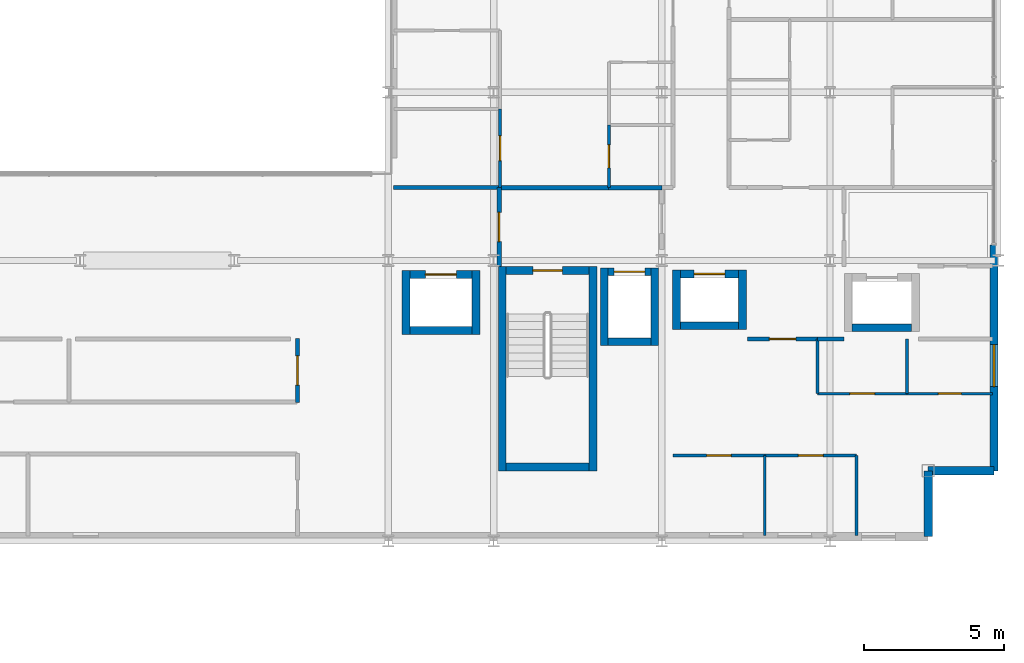
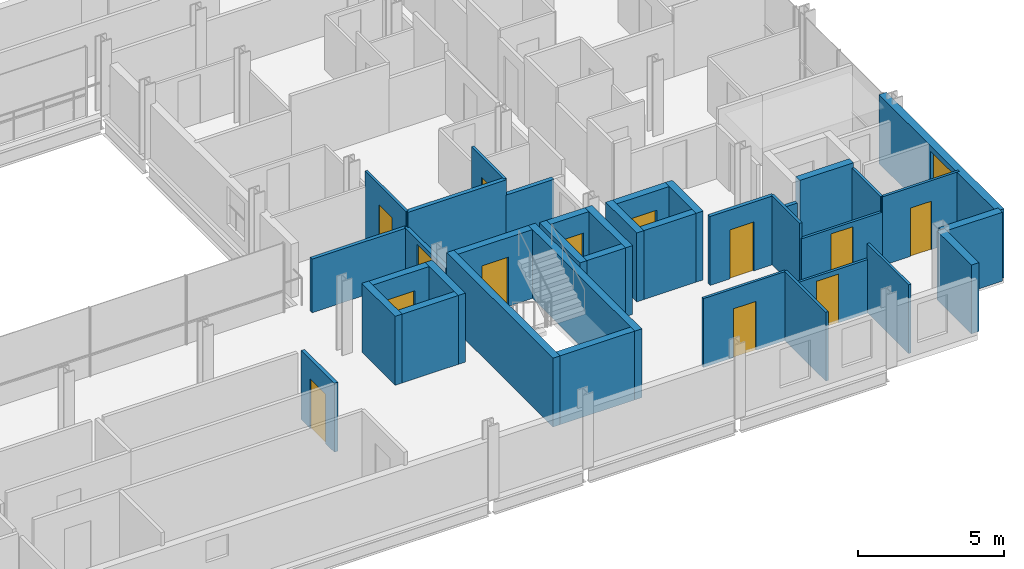
# One storey, part 34 of 40: 37 walls, 13 doors, 1 window, 14 openings.
"""IFC4 building model written with IfcOpenShell, lengths in metres."""

from ifc_helpers import new_model, si_unit, direction, frame, frame_2d, origin, place, context, subcontext, project, spatial, rectangle, extrude, material, layer, layer_set, type_object, element, fill, save


model = new_model("IFC4")

# Units and contexts
model_context = context("Model", 3, precision=1e-05, world=origin(), true_north=direction((0.0, 1.0)))
body_context = subcontext(model_context, "Body", "Model", "MODEL_VIEW")
ifc_project = project(units=[si_unit("LENGTHUNIT", "METRE"), si_unit("AREAUNIT", "SQUARE_METRE"), si_unit("VOLUMEUNIT", "CUBIC_METRE"), si_unit("PLANEANGLEUNIT", "RADIAN"), si_unit("MASSUNIT", "GRAM", prefix="KILO")], contexts=[model_context])

# Site, building, storey
site_placement = place(None, origin())
site = spatial("IfcSite", under=ifc_project, at=site_placement, CompositionType="ELEMENT")
building_placement = place(site_placement, origin())
building = spatial("IfcBuilding", under=site, at=building_placement, Name="Brevholm Reach", CompositionType="ELEMENT")
storey_placement = place(building_placement, frame((0.0, 0.0, 119.0)))
storey = spatial("IfcBuildingStorey", under=building, at=storey_placement, Name="L35", CompositionType="ELEMENT", Elevation=119.0)

# Walls
ifc_material_1 = material(Name="Concrete C50/60", Category="concrete")
ifc_layer_1 = layer(ifc_material_1, 0.280029296875)
ifc_layer_set_1 = layer_set([ifc_layer_1], Name="Concrete C50/60")
wall_type_1 = type_object("IfcWallType", Name="WAL-COR-280", PredefinedType="SHEAR", material=ifc_layer_set_1)
for number, where, z_axis, x_axis, name in (
    (1, (42.31005859375, 2.5, 0.0), (0.0, 0.0, 1.0), (0.0, 1.0, 0.0), "L35 Escape Stair ST-2 Core Wall W"),
    (2, (45.5400390625, 2.5, 0.0), (0.0, 0.0, 1.0), (0.0, 1.0, 0.0), "L35 Escape Stair ST-2 Core Wall E"),
):
    element("IfcWall", number, at=place(storey_placement, frame(where, z_axis=z_axis, x_axis=x_axis)), inside=storey, type_object=wall_type_1, Name=name, PredefinedType="SHEAR", context=body_context, shape_type="SweptSolid", body=[
        extrude(rectangle(XDim=7.280029296875, YDim=0.280029296875, at=frame_2d((3.64013671875, 0.0))), origin(), (0.0, 0.0, 1.0), 2.8798828125),
    ])
wall_1_placement = place(storey_placement, frame((42.449951171875, 2.639892578125, 0.0), z_axis=(0.0, 0.0, 1.0), x_axis=(1.0, 0.0, 0.0)))
element("IfcWall", 3, at=wall_1_placement, inside=storey, type_object=wall_type_1, Name="L35 Escape Stair ST-2 Core Wall S", PredefinedType="SHEAR", context=body_context, shape_type="SweptSolid", body=[
    extrude(rectangle(XDim=2.949951171875, YDim=0.280029296875, at=frame_2d((1.47509765625, 0.0))), origin(), (0.0, 0.0, 1.0), 2.8798828125),
])

# Wall, opening, door
wall_2_placement = place(storey_placement, frame((45.39990234375, 9.639892578125, 0.0), z_axis=(0.0, 0.0, 1.0), x_axis=(-1.0, 0.0, 0.0)))
wall_2 = element("IfcWall", 4, at=wall_2_placement, inside=storey, type_object=wall_type_1, Name="L35 Escape Stair ST-2 Core Wall N", PredefinedType="SHEAR", context=body_context, shape_type="SweptSolid", body=[
    extrude(rectangle(XDim=2.949951171875, YDim=0.280029296875, at=frame_2d((1.47509765625, 0.0))), origin(), (0.0, 0.0, 1.0), 2.8798828125),
])
opening_1_placement = place(wall_2_placement, frame((0.949951171875, 0.0, 0.0)))
opening_1 = element("IfcOpeningElement", 5, at=opening_1_placement, cuts=wall_2, Name="Opening SD-ST-2", PredefinedType="OPENING", context=body_context, shape_type="SweptSolid", body=[
    extrude(rectangle(XDim=1.050048828125, YDim=2.06005859375, at=frame_2d((0.52490234375, 1.030029296875))), frame((0.0, 0.14990234375, 0.0), z_axis=(0.0, -1.0, 0.0), x_axis=(1.0, 0.0, 0.0)), (0.0, 0.0, 1.0), 0.300048828125),
])
ifc_material_2 = material(Name="Hardwood-Lipped Steel-Core Fire and Smoke Door", Category="steel")
door_type_1 = type_object("IfcDoorType", Name="DOR-INT-FD60S", OperationType="NOTDEFINED", PredefinedType="DOOR", material=ifc_material_2)
door_1_placement = place(opening_1_placement, origin())
door_1 = element("IfcDoor", 6, at=door_1_placement, inside=storey, type_object=door_type_1, Name="L35 Protected Stair ST-2 Lobby Door", OperationType="SINGLE_SWING_RIGHT", OverallHeight=2.06005859375, OverallWidth=1.050048828125, PredefinedType="DOOR", context=body_context, shape_type="SweptSolid", body=[
    extrude(rectangle(XDim=1.050048828125, YDim=2.06005859375, at=frame_2d((0.52490234375, 1.030029296875))), frame((0.0, 0.02490234375, 0.0), z_axis=(0.0, -1.0, 0.0), x_axis=(1.0, 0.0, 0.0)), (0.0, 0.0, 1.0), 0.050048828125),
])
fill(opening_1, door_1)

# Walls
for number, where, z_axis, x_axis, name in (
    (7, (45.949951171875, 6.9599609375, 0.0), (0.0, 0.0, 1.0), (0.0, 1.0, 0.0), "L35 Lift FFL-2 Shaft Wall W"),
    (8, (47.75, 6.9599609375, 0.0), (0.0, 0.0, 1.0), (0.0, 1.0, 0.0), "L35 Lift FFL-2 Shaft Wall E"),
):
    element("IfcWall", number, at=place(storey_placement, frame(where, z_axis=z_axis, x_axis=x_axis)), inside=storey, type_object=wall_type_1, Name=name, PredefinedType="SHEAR", context=body_context, shape_type="SweptSolid", body=[
        extrude(rectangle(XDim=2.780029296875, YDim=0.280029296875, at=frame_2d((1.39013671875, 0.0))), origin(), (0.0, 0.0, 1.0), 2.8798828125),
    ])
wall_3_placement = place(storey_placement, frame((46.090087890625, 7.10009765625, 0.0), z_axis=(0.0, 0.0, 1.0), x_axis=(1.0, 0.0, 0.0)))
element("IfcWall", 9, at=wall_3_placement, inside=storey, type_object=wall_type_1, Name="L35 Lift FFL-2 Shaft Wall S", PredefinedType="SHEAR", context=body_context, shape_type="SweptSolid", body=[
    extrude(rectangle(XDim=1.52001953125, YDim=0.280029296875, at=frame_2d((0.760009765625, 0.0))), origin(), (0.0, 0.0, 1.0), 2.8798828125),
])

# Wall, opening, door
wall_4_placement = place(storey_placement, frame((46.090087890625, 9.60009765625, 0.0), z_axis=(0.0, 0.0, 1.0), x_axis=(1.0, 0.0, 0.0)))
wall_4 = element("IfcWall", 10, at=wall_4_placement, inside=storey, type_object=wall_type_1, Name="L35 Lift FFL-2 Shaft Wall N", PredefinedType="SHEAR", context=body_context, shape_type="SweptSolid", body=[
    extrude(rectangle(XDim=1.52001953125, YDim=0.280029296875, at=frame_2d((0.760009765625, 0.0))), origin(), (0.0, 0.0, 1.0), 2.8798828125),
])
opening_2_placement = place(wall_4_placement, frame((0.2099609375, 0.0, 0.0)))
opening_2 = element("IfcOpeningElement", 11, at=opening_2_placement, cuts=wall_4, Name="Opening LD-FFL-2", PredefinedType="OPENING", context=body_context, shape_type="SweptSolid", body=[
    extrude(rectangle(XDim=1.10009765625, YDim=2.06005859375, at=frame_2d((0.550048828125, 1.030029296875))), frame((0.0, 0.14990234375, 0.0), z_axis=(0.0, -1.0, 0.0), x_axis=(1.0, 0.0, 0.0)), (0.0, 0.0, 1.0), 0.300048828125),
])
ifc_material_3 = material(Name="Brushed Stainless Steel Fire-Rated Sliding Lift Door", Category="steel")
door_type_2 = type_object("IfcDoorType", Name="DOR-LFT-1100", OperationType="NOTDEFINED", PredefinedType="DOOR", material=ifc_material_3)
door_2_placement = place(opening_2_placement, origin())
door_2 = element("IfcDoor", 12, at=door_2_placement, inside=storey, type_object=door_type_2, Name="L35 Lift FFL-2 Sliding Landing Door", OperationType="SLIDING_TO_RIGHT", OverallHeight=2.06005859375, OverallWidth=1.10009765625, PredefinedType="DOOR", context=body_context, shape_type="SweptSolid", body=[
    extrude(rectangle(XDim=1.10009765625, YDim=2.06005859375, at=frame_2d((0.550048828125, 1.030029296875))), frame((0.0, 0.02490234375, 0.0), z_axis=(0.0, -1.0, 0.0), x_axis=(1.0, 0.0, 0.0)), (0.0, 0.0, 1.0), 0.050048828125),
])
fill(opening_2, door_2)

# Walls
for number, where, z_axis, x_axis, name in (
    (13, (48.52490234375, 7.534912109375, 0.0), (0.0, 0.0, 1.0), (0.0, 1.0, 0.0), "L35 Lift PL-L1 Shaft Wall W"),
    (14, (50.875, 7.534912109375, 0.0), (0.0, 0.0, 1.0), (0.0, 1.0, 0.0), "L35 Lift PL-L1 Shaft Wall E"),
):
    element("IfcWall", number, at=place(storey_placement, frame(where, z_axis=z_axis, x_axis=x_axis)), inside=storey, type_object=wall_type_1, Name=name, PredefinedType="SHEAR", context=body_context, shape_type="SweptSolid", body=[
        extrude(rectangle(XDim=2.130126953125, YDim=0.280029296875, at=frame_2d((1.06494140625, 0.0))), origin(), (0.0, 0.0, 1.0), 2.8798828125),
    ])
wall_5_placement = place(storey_placement, frame((48.6650390625, 7.675048828125, 0.0), z_axis=(0.0, 0.0, 1.0), x_axis=(1.0, 0.0, 0.0)))
element("IfcWall", 15, at=wall_5_placement, inside=storey, type_object=wall_type_1, Name="L35 Lift PL-L1 Shaft Wall S", PredefinedType="SHEAR", context=body_context, shape_type="SweptSolid", body=[
    extrude(rectangle(XDim=2.070068359375, YDim=0.280029296875, at=frame_2d((1.03515625, 0.0))), origin(), (0.0, 0.0, 1.0), 2.8798828125),
])

# Wall, opening, door
wall_6_placement = place(storey_placement, frame((48.6650390625, 9.52490234375, 0.0), z_axis=(0.0, 0.0, 1.0), x_axis=(1.0, 0.0, 0.0)))
wall_6 = element("IfcWall", 16, at=wall_6_placement, inside=storey, type_object=wall_type_1, Name="L35 Lift PL-L1 Shaft Wall N", PredefinedType="SHEAR", context=body_context, shape_type="SweptSolid", body=[
    extrude(rectangle(XDim=2.070068359375, YDim=0.280029296875, at=frame_2d((1.03515625, 0.0))), origin(), (0.0, 0.0, 1.0), 2.8798828125),
])
opening_3_placement = place(wall_6_placement, frame((0.485107421875, 0.0, 0.0)))
opening_3 = element("IfcOpeningElement", 17, at=opening_3_placement, cuts=wall_6, Name="Opening LD-PL-L1", PredefinedType="OPENING", context=body_context, shape_type="SweptSolid", body=[
    extrude(rectangle(XDim=1.10009765625, YDim=2.06005859375, at=frame_2d((0.550048828125, 1.030029296875))), frame((0.0, 0.14990234375, 0.0), z_axis=(0.0, -1.0, 0.0), x_axis=(1.0, 0.0, 0.0)), (0.0, 0.0, 1.0), 0.300048828125),
])
door_3_placement = place(opening_3_placement, origin())
door_3 = element("IfcDoor", 18, at=door_3_placement, inside=storey, type_object=door_type_2, Name="L35 Lift PL-L1 Sliding Landing Door", OperationType="SLIDING_TO_LEFT", OverallHeight=2.06005859375, OverallWidth=1.10009765625, PredefinedType="DOOR", context=body_context, shape_type="SweptSolid", body=[
    extrude(rectangle(XDim=1.10009765625, YDim=2.06005859375, at=frame_2d((0.550048828125, 1.030029296875))), frame((0.0, 0.02490234375, 0.0), z_axis=(0.0, -1.0, 0.0), x_axis=(1.0, 0.0, 0.0)), (0.0, 0.0, 1.0), 0.050048828125),
])
fill(opening_3, door_3)

# Walls
wall_7_placement = place(storey_placement, frame((54.7900390625, 7.60009765625, 0.0), z_axis=(0.0, 0.0, 1.0), x_axis=(1.0, 0.0, 0.0)))
element("IfcWall", 19, at=wall_7_placement, inside=storey, type_object=wall_type_1, Name="L35 Lift PL-L2 Shaft Wall S", PredefinedType="SHEAR", context=body_context, shape_type="SweptSolid", body=[
    extrude(rectangle(XDim=2.119873046875, YDim=0.280029296875, at=frame_2d((1.06005859375, 0.0))), origin(), (0.0, 0.0, 1.0), 2.8798828125),
])
for number, where, z_axis, x_axis, name in (
    (20, (38.8701171875, 7.360107421875, 0.0), (0.0, 0.0, 1.0), (0.0, 1.0, 0.0), "L35 Lift PL-S1 Shaft Wall W"),
    (21, (41.3701171875, 7.360107421875, 0.0), (0.0, 0.0, 1.0), (0.0, 1.0, 0.0), "L35 Lift PL-S1 Shaft Wall E"),
):
    element("IfcWall", number, at=place(storey_placement, frame(where, z_axis=z_axis, x_axis=x_axis)), inside=storey, type_object=wall_type_1, Name=name, PredefinedType="SHEAR", context=body_context, shape_type="SweptSolid", body=[
        extrude(rectangle(XDim=2.27978515625, YDim=0.280029296875, at=frame_2d((1.139892578125, 0.0))), origin(), (0.0, 0.0, 1.0), 2.8798828125),
    ])
wall_8_placement = place(storey_placement, frame((39.010009765625, 7.5, 0.0), z_axis=(0.0, 0.0, 1.0), x_axis=(1.0, 0.0, 0.0)))
element("IfcWall", 22, at=wall_8_placement, inside=storey, type_object=wall_type_1, Name="L35 Lift PL-S1 Shaft Wall S", PredefinedType="SHEAR", context=body_context, shape_type="SweptSolid", body=[
    extrude(rectangle(XDim=2.219970703125, YDim=0.280029296875, at=frame_2d((1.10986328125, 0.0))), origin(), (0.0, 0.0, 1.0), 2.8798828125),
])

# Wall, opening, door
wall_9_placement = place(storey_placement, frame((39.010009765625, 9.5, 0.0), z_axis=(0.0, 0.0, 1.0), x_axis=(1.0, 0.0, 0.0)))
wall_9 = element("IfcWall", 23, at=wall_9_placement, inside=storey, type_object=wall_type_1, Name="L35 Lift PL-S1 Shaft Wall N", PredefinedType="SHEAR", context=body_context, shape_type="SweptSolid", body=[
    extrude(rectangle(XDim=2.219970703125, YDim=0.280029296875, at=frame_2d((1.10986328125, 0.0))), origin(), (0.0, 0.0, 1.0), 2.8798828125),
])
opening_4_placement = place(wall_9_placement, frame((0.56005859375, 0.0, 0.0)))
opening_4 = element("IfcOpeningElement", 24, at=opening_4_placement, cuts=wall_9, Name="Opening LD-PL-S1", PredefinedType="OPENING", context=body_context, shape_type="SweptSolid", body=[
    extrude(rectangle(XDim=1.10009765625, YDim=2.06005859375, at=frame_2d((0.550048828125, 1.030029296875))), frame((0.0, 0.14990234375, 0.0), z_axis=(0.0, -1.0, 0.0), x_axis=(1.0, 0.0, 0.0)), (0.0, 0.0, 1.0), 0.300048828125),
])
door_4_placement = place(opening_4_placement, origin())
door_4 = element("IfcDoor", 25, at=door_4_placement, inside=storey, type_object=door_type_2, Name="L35 Lift PL-S1 Sliding Landing Door", OperationType="SLIDING_TO_LEFT", OverallHeight=2.06005859375, OverallWidth=1.10009765625, PredefinedType="DOOR", context=body_context, shape_type="SweptSolid", body=[
    extrude(rectangle(XDim=1.10009765625, YDim=2.06005859375, at=frame_2d((0.550048828125, 1.030029296875))), frame((0.0, 0.02490234375, 0.0), z_axis=(0.0, -1.0, 0.0), x_axis=(1.0, 0.0, 0.0)), (0.0, 0.0, 1.0), 0.050048828125),
])
fill(opening_4, door_4)

# Walls
ifc_material_4 = material(Name="Concrete C40/50", Category="concrete")
ifc_layer_2 = layer(ifc_material_4, 0.300048828125)
ifc_layer_set_2 = layer_set([ifc_layer_2], Name="Concrete C40/50")
wall_type_2 = type_object("IfcWallType", Name="WAL-EXT-300", PredefinedType="STANDARD", material=ifc_layer_set_2)
for number, where, z_axis, x_axis, name in (
    (26, (57.5, 0.14990234375, 0.0), (0.0, 0.0, 1.0), (0.0, 1.0, 0.0), "L35 Facade Wall WAL-L35-CSE1"),
    (27, (57.5, 2.5, 0.0), (0.0, 0.0, 1.0), (1.0, 0.0, 0.0), "L35 Facade Wall WAL-L35-CSE2"),
):
    element("IfcWall", number, at=place(storey_placement, frame(where, z_axis=z_axis, x_axis=x_axis)), inside=storey, type_object=wall_type_2, Name=name, PredefinedType="STANDARD", context=body_context, shape_type="SweptSolid", body=[
        extrude(rectangle(XDim=2.35009765625, YDim=0.300048828125, at=frame_2d((1.175048828125, 0.0))), origin(), (0.0, 0.0, 1.0), 2.8798828125),
    ])

# Wall, opening, window
wall_10_placement = place(storey_placement, frame((59.85009765625, 2.5, 0.0), z_axis=(0.0, 0.0, 1.0), x_axis=(0.0, 1.0, 0.0)))
wall_10 = element("IfcWall", 28, at=wall_10_placement, inside=storey, type_object=wall_type_2, Name="L35 Facade Wall WAL-L35-E-S", PredefinedType="STANDARD", context=body_context, shape_type="SweptSolid", body=[
    extrude(rectangle(XDim=8.050048828125, YDim=0.300048828125, at=frame_2d((4.02490234375, 0.0))), origin(), (0.0, 0.0, 1.0), 2.8798828125),
])
opening_5_placement = place(wall_10_placement, frame((3.0, 0.0, 0.860107421875)))
opening_5 = element("IfcOpeningElement", 29, at=opening_5_placement, cuts=wall_10, Name="Opening WN-05", PredefinedType="OPENING", context=body_context, shape_type="SweptSolid", body=[
    extrude(rectangle(XDim=1.5, YDim=1.800048828125, at=frame_2d((0.75, 0.89990234375))), frame((0.0, 0.159912109375, 0.0), z_axis=(0.0, -1.0, 0.0), x_axis=(1.0, 0.0, 0.0)), (0.0, 0.0, 1.0), 0.320068359375),
])
ifc_material_5 = material(Name="Dark Anodised Aluminium and Solar-Control IGU Glass", Category="aluminium")
window_type = type_object("IfcWindowType", Name="WIN-RES-1500", PartitioningType="SINGLE_PANEL", PredefinedType="WINDOW", material=ifc_material_5)
window_placement = place(opening_5_placement, origin())
window = element("IfcWindow", 30, at=window_placement, inside=storey, type_object=window_type, Name="L35 Window WIN-L35-ES-1", OverallHeight=1.800048828125, OverallWidth=1.5, PartitioningType="SINGLE_PANEL", PredefinedType="WINDOW", context=body_context, shape_type="SweptSolid", body=[
    extrude(rectangle(XDim=1.5, YDim=1.800048828125, at=frame_2d((0.75, 0.89990234375))), frame((0.0, 0.030029296875, 0.0), z_axis=(0.0, -1.0, 0.0), x_axis=(1.0, 0.0, 0.0)), (0.0, 0.0, 1.0), 0.06005859375),
])
fill(opening_5, window)

# Wall
ifc_material_6 = material(Name="Moisture-Resistant Acoustic Gypsum Stud Partition 100 mm", Category="gypsum")
ifc_layer_3 = layer(ifc_material_6, 0.10009765625)
ifc_layer_set_3 = layer_set([ifc_layer_3], Name="Moisture-Resistant Acoustic Gypsum Stud Partition 100 mm")
wall_type_3 = type_object("IfcWallType", Name="WAL-PRT-100", PredefinedType="PARTITIONING", material=ifc_layer_set_3)
wall_11_placement = place(storey_placement, frame((56.75, 5.25, 0.0), z_axis=(0.0, 0.0, 1.0), x_axis=(0.0, 1.0, 0.0)))
element("IfcWall", 31, at=wall_11_placement, inside=storey, type_object=wall_type_3, Name="L35 Internal Partition 080", PredefinedType="PARTITIONING", context=body_context, shape_type="SweptSolid", body=[
    extrude(rectangle(XDim=1.949951171875, YDim=0.10009765625, at=frame_2d((0.97509765625, 0.0))), origin(), (0.0, 0.0, 1.0), 2.8798828125),
])

# Wall, opening, door
wall_12_placement = place(storey_placement, frame((56.75, 5.25, 0.0), z_axis=(0.0, 0.0, 1.0), x_axis=(1.0, 0.0, 0.0)))
wall_12 = element("IfcWall", 32, at=wall_12_placement, inside=storey, type_object=wall_type_3, Name="L35 Internal Partition 081", PredefinedType="PARTITIONING", context=body_context, shape_type="SweptSolid", body=[
    extrude(rectangle(XDim=3.050048828125, YDim=0.10009765625, at=frame_2d((1.52490234375, 0.0))), origin(), (0.0, 0.0, 1.0), 2.8798828125),
])
opening_6_placement = place(wall_12_placement, frame((1.114990234375, 0.0, 0.0)))
opening_6 = element("IfcOpeningElement", 33, at=opening_6_placement, cuts=wall_12, Name="Opening ID-03", PredefinedType="OPENING", context=body_context, shape_type="SweptSolid", body=[
    extrude(rectangle(XDim=0.820068359375, YDim=2.02001953125, at=frame_2d((0.41015625, 1.010009765625))), frame((0.0, 0.06005859375, 0.0), z_axis=(0.0, -1.0, 0.0), x_axis=(1.0, 0.0, 0.0)), (0.0, 0.0, 1.0), 0.1201171875),
])
ifc_material_7 = material(Name="Moisture-Resistant Painted Timber Internal Bathroom Door", Category="wood")
door_type_3 = type_object("IfcDoorType", Name="DOR-BATH-820", OperationType="NOTDEFINED", PredefinedType="DOOR", material=ifc_material_7)
door_5_placement = place(opening_6_placement, origin())
door_5 = element("IfcDoor", 34, at=door_5_placement, inside=storey, type_object=door_type_3, Name="L35 Internal Door 029", OperationType="SINGLE_SWING_LEFT", OverallHeight=2.02001953125, OverallWidth=0.820068359375, PredefinedType="DOOR", context=body_context, shape_type="SweptSolid", body=[
    extrude(rectangle(XDim=0.820068359375, YDim=2.02001953125, at=frame_2d((0.41015625, 1.010009765625))), frame((0.0, 0.02490234375, 0.0), z_axis=(0.0, -1.0, 0.0), x_axis=(1.0, 0.0, 0.0)), (0.0, 0.0, 1.0), 0.050048828125),
])
fill(opening_6, door_5)

wall_13_placement = place(storey_placement, frame((53.55810546875, 5.25, 0.0), z_axis=(0.0, 0.0, 1.0), x_axis=(1.0, 0.0, 0.0)))
wall_13 = element("IfcWall", 35, at=wall_13_placement, inside=storey, type_object=wall_type_3, Name="L35 Internal Partition 082", PredefinedType="PARTITIONING", context=body_context, shape_type="SweptSolid", body=[
    extrude(rectangle(XDim=3.18798828125, YDim=0.10009765625, at=frame_2d((1.593994140625, 0.0))), origin(), (0.0, 0.0, 1.0), 2.242919921875),
])
opening_7_placement = place(wall_13_placement, frame((1.154052734375, 0.0, 0.0)))
opening_7 = element("IfcOpeningElement", 36, at=opening_7_placement, cuts=wall_13, Name="Opening ID-01", PredefinedType="OPENING", context=body_context, shape_type="SweptSolid", body=[
    extrude(rectangle(XDim=0.8798828125, YDim=2.0400390625, at=frame_2d((0.43994140625, 1.02001953125))), frame((0.0, 0.06005859375, 0.0), z_axis=(0.0, -1.0, 0.0), x_axis=(1.0, 0.0, 0.0)), (0.0, 0.0, 1.0), 0.1201171875),
])
ifc_material_8 = material(Name="Lacquered Ash Solid-Core Acoustic Internal Door", Category="timber")
door_type_4 = type_object("IfcDoorType", Name="DOR-INT-880", OperationType="NOTDEFINED", PredefinedType="DOOR", material=ifc_material_8)
door_6_placement = place(opening_7_placement, origin())
door_6 = element("IfcDoor", 37, at=door_6_placement, inside=storey, type_object=door_type_4, Name="L35 Internal Door 030", OperationType="SINGLE_SWING_RIGHT", OverallHeight=2.0400390625, OverallWidth=0.8798828125, PredefinedType="DOOR", context=body_context, shape_type="SweptSolid", body=[
    extrude(rectangle(XDim=0.8798828125, YDim=2.0400390625, at=frame_2d((0.43994140625, 1.02001953125))), frame((0.0, 0.02490234375, 0.0), z_axis=(0.0, -1.0, 0.0), x_axis=(1.0, 0.0, 0.0)), (0.0, 0.0, 1.0), 0.050048828125),
])
fill(opening_7, door_6)

# Walls
wall_14_placement = place(storey_placement, frame((53.55810546875, 5.25, 0.0), z_axis=(0.0, 0.0, 1.0), x_axis=(0.0, 1.0, 0.0)))
element("IfcWall", 38, at=wall_14_placement, inside=storey, type_object=wall_type_3, Name="L35 Internal Partition 083", PredefinedType="PARTITIONING", context=body_context, shape_type="SweptSolid", body=[
    extrude(rectangle(XDim=1.946044921875, YDim=0.10009765625, at=frame_2d((0.97314453125, 0.0))), origin(), (0.0, 0.0, 1.0), 2.8798828125),
])
wall_15_placement = place(storey_placement, frame((51.675048828125, 0.199951171875, 0.0), z_axis=(0.0, 0.0, 1.0), x_axis=(0.0, 1.0, 0.0)))
element("IfcWall", 39, at=wall_15_placement, inside=storey, type_object=wall_type_3, Name="L35 Internal Partition 084", PredefinedType="PARTITIONING", context=body_context, shape_type="SweptSolid", body=[
    extrude(rectangle(XDim=2.85009765625, YDim=0.10009765625, at=frame_2d((1.425048828125, 0.0))), origin(), (0.0, 0.0, 1.0), 2.8798828125),
])

# Wall, opening, door
wall_16_placement = place(storey_placement, frame((48.39990234375, 3.050048828125, 0.0), z_axis=(0.0, 0.0, 1.0), x_axis=(1.0, 0.0, 0.0)))
wall_16 = element("IfcWall", 40, at=wall_16_placement, inside=storey, type_object=wall_type_3, Name="L35 Internal Partition 085", PredefinedType="PARTITIONING", context=body_context, shape_type="SweptSolid", body=[
    extrude(rectangle(XDim=3.275146484375, YDim=0.10009765625, at=frame_2d((1.6376953125, 0.0))), origin(), (0.0, 0.0, 1.0), 2.8798828125),
])
opening_8_placement = place(wall_16_placement, frame((1.197509765625, 0.0, 0.0)))
opening_8 = element("IfcOpeningElement", 41, at=opening_8_placement, cuts=wall_16, Name="Opening ID-01", PredefinedType="OPENING", context=body_context, shape_type="SweptSolid", body=[
    extrude(rectangle(XDim=0.8798828125, YDim=2.0400390625, at=frame_2d((0.43994140625, 1.02001953125))), frame((0.0, 0.06005859375, 0.0), z_axis=(0.0, -1.0, 0.0), x_axis=(1.0, 0.0, 0.0)), (0.0, 0.0, 1.0), 0.1201171875),
])
door_7_placement = place(opening_8_placement, origin())
door_7 = element("IfcDoor", 42, at=door_7_placement, inside=storey, type_object=door_type_4, Name="L35 Internal Door 031", OperationType="SINGLE_SWING_LEFT", OverallHeight=2.0400390625, OverallWidth=0.8798828125, PredefinedType="DOOR", context=body_context, shape_type="SweptSolid", body=[
    extrude(rectangle(XDim=0.8798828125, YDim=2.0400390625, at=frame_2d((0.43994140625, 1.02001953125))), frame((0.0, 0.02490234375, 0.0), z_axis=(0.0, -1.0, 0.0), x_axis=(1.0, 0.0, 0.0)), (0.0, 0.0, 1.0), 0.050048828125),
])
fill(opening_8, door_7)

# Wall
wall_17_placement = place(storey_placement, frame((54.949951171875, 0.199951171875, 0.0), z_axis=(0.0, 0.0, 1.0), x_axis=(0.0, 1.0, 0.0)))
element("IfcWall", 43, at=wall_17_placement, inside=storey, type_object=wall_type_3, Name="L35 Internal Partition 086", PredefinedType="PARTITIONING", context=body_context, shape_type="SweptSolid", body=[
    extrude(rectangle(XDim=2.85009765625, YDim=0.10009765625, at=frame_2d((1.425048828125, 0.0))), origin(), (0.0, 0.0, 1.0), 2.8798828125),
])

# Wall, opening, door
wall_18_placement = place(storey_placement, frame((51.678955078125, 3.050048828125, 0.0), z_axis=(0.0, 0.0, 1.0), x_axis=(1.0, 0.0, 0.0)))
wall_18 = element("IfcWall", 44, at=wall_18_placement, inside=storey, type_object=wall_type_3, Name="L35 Internal Partition 087", PredefinedType="PARTITIONING", context=body_context, shape_type="SweptSolid", body=[
    extrude(rectangle(XDim=3.27099609375, YDim=0.10009765625, at=frame_2d((1.635498046875, 0.0))), origin(), (0.0, 0.0, 1.0), 2.242919921875),
])
opening_9_placement = place(wall_18_placement, frame((1.195556640625, 0.0, 0.0)))
opening_9 = element("IfcOpeningElement", 45, at=opening_9_placement, cuts=wall_18, Name="Opening ID-01", PredefinedType="OPENING", context=body_context, shape_type="SweptSolid", body=[
    extrude(rectangle(XDim=0.8798828125, YDim=2.0400390625, at=frame_2d((0.43994140625, 1.02001953125))), frame((0.0, 0.06005859375, 0.0), z_axis=(0.0, -1.0, 0.0), x_axis=(1.0, 0.0, 0.0)), (0.0, 0.0, 1.0), 0.1201171875),
])
door_8_placement = place(opening_9_placement, origin())
door_8 = element("IfcDoor", 46, at=door_8_placement, inside=storey, type_object=door_type_4, Name="L35 Internal Door 032", OperationType="SINGLE_SWING_RIGHT", OverallHeight=2.0400390625, OverallWidth=0.8798828125, PredefinedType="DOOR", context=body_context, shape_type="SweptSolid", body=[
    extrude(rectangle(XDim=0.8798828125, YDim=2.0400390625, at=frame_2d((0.43994140625, 1.02001953125))), frame((0.0, 0.02490234375, 0.0), z_axis=(0.0, -1.0, 0.0), x_axis=(1.0, 0.0, 0.0)), (0.0, 0.0, 1.0), 0.050048828125),
])
fill(opening_9, door_8)

wall_19_placement = place(storey_placement, frame((46.112060546875, 12.60400390625, 0.0), z_axis=(0.0, 0.0, 1.0), x_axis=(0.0, 1.0, 0.0)))
wall_19 = element("IfcWall", 47, at=wall_19_placement, inside=storey, type_object=wall_type_3, Name="L35 Internal Partition 121", PredefinedType="PARTITIONING", context=body_context, shape_type="SweptSolid", body=[
    extrude(rectangle(XDim=2.22802734375, YDim=0.10009765625, at=frame_2d((1.114013671875, 0.0))), origin(), (0.0, 0.0, 1.0), 2.8798828125),
])
opening_10_placement = place(wall_19_placement, frame((0.7041015625, 0.0, 0.0)))
opening_10 = element("IfcOpeningElement", 48, at=opening_10_placement, cuts=wall_19, Name="Opening ID-03", PredefinedType="OPENING", context=body_context, shape_type="SweptSolid", body=[
    extrude(rectangle(XDim=0.820068359375, YDim=2.02001953125, at=frame_2d((0.41015625, 1.010009765625))), frame((0.0, 0.06005859375, 0.0), z_axis=(0.0, -1.0, 0.0), x_axis=(1.0, 0.0, 0.0)), (0.0, 0.0, 1.0), 0.1201171875),
])
door_9_placement = place(opening_10_placement, origin())
door_9 = element("IfcDoor", 49, at=door_9_placement, inside=storey, type_object=door_type_3, Name="L35 Internal Door 046", OperationType="SINGLE_SWING_RIGHT", OverallHeight=2.02001953125, OverallWidth=0.820068359375, PredefinedType="DOOR", context=body_context, shape_type="SweptSolid", body=[
    extrude(rectangle(XDim=0.820068359375, YDim=2.02001953125, at=frame_2d((0.41015625, 1.010009765625))), frame((0.0, 0.02490234375, 0.0), z_axis=(0.0, -1.0, 0.0), x_axis=(1.0, 0.0, 0.0)), (0.0, 0.0, 1.0), 0.050048828125),
])
fill(opening_10, door_9)

wall_20_placement = place(storey_placement, frame((42.23095703125, 12.60400390625, 0.0), z_axis=(0.0, 0.0, 1.0), x_axis=(0.0, 1.0, 0.0)))
wall_20 = element("IfcWall", 50, at=wall_20_placement, inside=storey, type_object=wall_type_3, Name="L35 Internal Partition 125", PredefinedType="PARTITIONING", context=body_context, shape_type="SweptSolid", body=[
    extrude(rectangle(XDim=2.7958984375, YDim=0.10009765625, at=frame_2d((1.39794921875, 0.0))), origin(), (0.0, 0.0, 1.0), 2.8798828125),
])
opening_11_placement = place(wall_20_placement, frame((0.9580078125, 0.0, 0.0)))
opening_11 = element("IfcOpeningElement", 51, at=opening_11_placement, cuts=wall_20, Name="Opening ID-01", PredefinedType="OPENING", context=body_context, shape_type="SweptSolid", body=[
    extrude(rectangle(XDim=0.8798828125, YDim=2.0400390625, at=frame_2d((0.43994140625, 1.02001953125))), frame((0.0, 0.06005859375, 0.0), z_axis=(0.0, -1.0, 0.0), x_axis=(1.0, 0.0, 0.0)), (0.0, 0.0, 1.0), 0.1201171875),
])
door_10_placement = place(opening_11_placement, origin())
door_10 = element("IfcDoor", 52, at=door_10_placement, inside=storey, type_object=door_type_4, Name="L35 Internal Door 048", OperationType="SINGLE_SWING_RIGHT", OverallHeight=2.0400390625, OverallWidth=0.8798828125, PredefinedType="DOOR", context=body_context, shape_type="SweptSolid", body=[
    extrude(rectangle(XDim=0.8798828125, YDim=2.0400390625, at=frame_2d((0.43994140625, 1.02001953125))), frame((0.0, 0.02490234375, 0.0), z_axis=(0.0, -1.0, 0.0), x_axis=(1.0, 0.0, 0.0)), (0.0, 0.0, 1.0), 0.050048828125),
])
fill(opening_11, door_10)

ifc_material_9 = material(Name="Twin-Stud Acoustic Fire-Rated Gypsum Partition 140 mm", Category="gypsum")
ifc_layer_4 = layer(ifc_material_9, 0.139892578125)
ifc_layer_set_4 = layer_set([ifc_layer_4], Name="Twin-Stud Acoustic Fire-Rated Gypsum Partition 140 mm")
wall_type_4 = type_object("IfcWallType", Name="WAL-PRT-140", PredefinedType="PARTITIONING", material=ifc_layer_set_4)
wall_21_placement = place(storey_placement, frame((35.0, 4.942626953125, 0.0), z_axis=(0.0, 0.0, 1.0), x_axis=(0.0, 1.0, 0.0)))
wall_21 = element("IfcWall", 53, at=wall_21_placement, inside=storey, type_object=wall_type_4, Name="L35 Internal Partition 002", PredefinedType="PARTITIONING", context=body_context, shape_type="SweptSolid", body=[
    extrude(rectangle(XDim=2.2685546875, YDim=0.139892578125, at=frame_2d((1.13427734375, 0.0))), origin(), (0.0, 0.0, 1.0), 2.8798828125),
])
opening_12_placement = place(wall_21_placement, frame((0.609375, 0.0, 0.0)))
opening_12 = element("IfcOpeningElement", 54, at=opening_12_placement, cuts=wall_21, Name="Opening FD-01", PredefinedType="OPENING", context=body_context, shape_type="SweptSolid", body=[
    extrude(rectangle(XDim=1.050048828125, YDim=2.06005859375, at=frame_2d((0.52490234375, 1.030029296875))), frame((0.0, 0.079833984375, 0.0), z_axis=(0.0, -1.0, 0.0), x_axis=(1.0, 0.0, 0.0)), (0.0, 0.0, 1.0), 0.159912109375),
])
door_11_placement = place(opening_12_placement, origin())
door_11 = element("IfcDoor", 55, at=door_11_placement, inside=storey, type_object=door_type_1, Name="L35 Internal Door 002", OperationType="SINGLE_SWING_RIGHT", OverallHeight=2.06005859375, OverallWidth=1.050048828125, PredefinedType="DOOR", context=body_context, shape_type="SweptSolid", body=[
    extrude(rectangle(XDim=1.050048828125, YDim=2.06005859375, at=frame_2d((0.52490234375, 1.030029296875))), frame((0.0, 0.02490234375, 0.0), z_axis=(0.0, -1.0, 0.0), x_axis=(1.0, 0.0, 0.0)), (0.0, 0.0, 1.0), 0.050048828125),
])
fill(opening_12, door_11)

# Wall
wall_22_placement = place(storey_placement, frame((53.546630859375, 7.199951171875, 0.0), z_axis=(0.0, 0.0, 1.0), x_axis=(1.0, 0.0, 0.0)))
element("IfcWall", 56, at=wall_22_placement, inside=storey, type_object=wall_type_4, Name="L35 Internal Partition 014", PredefinedType="PARTITIONING", context=body_context, shape_type="SweptSolid", body=[
    extrude(rectangle(XDim=0.953369140625, YDim=0.139892578125, at=frame_2d((0.4765625, 0.0))), origin(), (0.0, 0.0, 1.0), 2.242919921875),
])

# Wall, opening, door
wall_23_placement = place(storey_placement, frame((51.050048828125, 7.199951171875, 0.0), z_axis=(0.0, 0.0, 1.0), x_axis=(1.0, 0.0, 0.0)))
wall_23 = element("IfcWall", 57, at=wall_23_placement, inside=storey, type_object=wall_type_4, Name="L35 Internal Partition 015", PredefinedType="PARTITIONING", context=body_context, shape_type="SweptSolid", body=[
    extrude(rectangle(XDim=2.51513671875, YDim=0.139892578125, at=frame_2d((1.257568359375, 0.0))), origin(), (0.0, 0.0, 1.0), 2.8798828125),
])
opening_13_placement = place(wall_23_placement, frame((0.78271484375, 0.0, 0.0)))
opening_13 = element("IfcOpeningElement", 58, at=opening_13_placement, cuts=wall_23, Name="Opening ID-30", PredefinedType="OPENING", context=body_context, shape_type="SweptSolid", body=[
    extrude(rectangle(XDim=0.949951171875, YDim=2.050048828125, at=frame_2d((0.47509765625, 1.02490234375))), frame((0.0, 0.079833984375, 0.0), z_axis=(0.0, -1.0, 0.0), x_axis=(1.0, 0.0, 0.0)), (0.0, 0.0, 1.0), 0.159912109375),
])
ifc_material_10 = material(Name="European Oak Veneered Solid-Core Fire Entrance Door", Category="timber")
door_type_5 = type_object("IfcDoorType", Name="DOR-FLT-FD30S", OperationType="NOTDEFINED", PredefinedType="DOOR", material=ifc_material_10)
door_12_placement = place(opening_13_placement, origin())
door_12 = element("IfcDoor", 59, at=door_12_placement, inside=storey, type_object=door_type_5, Name="L35 Internal Door 009", OperationType="SINGLE_SWING_LEFT", OverallHeight=2.050048828125, OverallWidth=0.949951171875, PredefinedType="DOOR", context=body_context, shape_type="SweptSolid", body=[
    extrude(rectangle(XDim=0.949951171875, YDim=2.050048828125, at=frame_2d((0.47509765625, 1.02490234375))), frame((0.0, 0.02490234375, 0.0), z_axis=(0.0, -1.0, 0.0), x_axis=(1.0, 0.0, 0.0)), (0.0, 0.0, 1.0), 0.050048828125),
])
fill(opening_13, door_12)

# Wall
wall_24_placement = place(storey_placement, frame((38.438720703125, 12.60009765625, 0.0), z_axis=(0.0, 0.0, 1.0), x_axis=(1.0, 0.0, 0.0)))
element("IfcWall", 60, at=wall_24_placement, inside=storey, type_object=wall_type_4, Name="L35 Internal Partition 033", PredefinedType="PARTITIONING", context=body_context, shape_type="SweptSolid", body=[
    extrude(rectangle(XDim=3.75732421875, YDim=0.139892578125, at=frame_2d((1.878662109375, 0.0))), origin(), (0.0, 0.0, 1.0), 2.242919921875),
])

# Wall, opening, door
ifc_material_11 = material(Name="Twin-Frame Fire-Rated Gypsum Board and Mineral Wool 160 mm", Category="gypsum")
ifc_layer_5 = layer(ifc_material_11, 0.159912109375)
ifc_layer_set_5 = layer_set([ifc_layer_5], Name="Twin-Frame Fire-Rated Gypsum Board and Mineral Wool 160 mm")
wall_type_5 = type_object("IfcWallType", Name="WAL-PRT-160", PredefinedType="PARTITIONING", material=ifc_layer_set_5)
wall_25_placement = place(storey_placement, frame((42.199951171875, 9.7900390625, 0.0), z_axis=(0.0, 0.0, 1.0), x_axis=(0.0, 1.0, 0.0)))
wall_25 = element("IfcWall", 61, at=wall_25_placement, inside=storey, type_object=wall_type_5, Name="L35 Internal Partition 023", PredefinedType="PARTITIONING", context=body_context, shape_type="SweptSolid", body=[
    extrude(rectangle(XDim=2.81005859375, YDim=0.159912109375, at=frame_2d((1.405029296875, 0.0))), origin(), (0.0, 0.0, 1.0), 2.242919921875),
])
opening_14_placement = place(wall_25_placement, frame((0.8798828125, 0.0, 0.0)))
opening_14 = element("IfcOpeningElement", 62, at=opening_14_placement, cuts=wall_25, Name="Opening FD-01", PredefinedType="OPENING", context=body_context, shape_type="SweptSolid", body=[
    extrude(rectangle(XDim=1.050048828125, YDim=2.06005859375, at=frame_2d((0.52490234375, 1.030029296875))), frame((0.0, 0.08984375, 0.0), z_axis=(0.0, -1.0, 0.0), x_axis=(1.0, 0.0, 0.0)), (0.0, 0.0, 1.0), 0.179931640625),
])
door_13_placement = place(opening_14_placement, origin())
door_13 = element("IfcDoor", 63, at=door_13_placement, inside=storey, type_object=door_type_1, Name="L35 Internal Door 013", OperationType="SINGLE_SWING_LEFT", OverallHeight=2.06005859375, OverallWidth=1.050048828125, PredefinedType="DOOR", context=body_context, shape_type="SweptSolid", body=[
    extrude(rectangle(XDim=1.050048828125, YDim=2.06005859375, at=frame_2d((0.52490234375, 1.030029296875))), frame((0.0, 0.02490234375, 0.0), z_axis=(0.0, -1.0, 0.0), x_axis=(1.0, 0.0, 0.0)), (0.0, 0.0, 1.0), 0.050048828125),
])
fill(opening_14, door_13)

# Walls
wall_26_placement = place(storey_placement, frame((46.1005859375, 12.60009765625, 0.0), z_axis=(0.0, 0.0, 1.0), x_axis=(1.0, 0.0, 0.0)))
element("IfcWall", 64, at=wall_26_placement, inside=storey, type_object=wall_type_5, Name="L35 Internal Partition 025", PredefinedType="PARTITIONING", context=body_context, shape_type="SweptSolid", body=[
    extrude(rectangle(XDim=1.8994140625, YDim=0.159912109375, at=frame_2d((0.94970703125, 0.0))), origin(), (0.0, 0.0, 1.0), 2.242919921875),
])
wall_27_placement = place(storey_placement, frame((42.2236328125, 12.60009765625, 0.0), z_axis=(0.0, 0.0, 1.0), x_axis=(1.0, 0.0, 0.0)))
element("IfcWall", 65, at=wall_27_placement, inside=storey, type_object=wall_type_5, Name="L35 Internal Partition 026", PredefinedType="PARTITIONING", context=body_context, shape_type="SweptSolid", body=[
    extrude(rectangle(XDim=3.895751953125, YDim=0.159912109375, at=frame_2d((1.94775390625, 0.0))), origin(), (0.0, 0.0, 1.0), 2.8798828125),
])

save(model, "model.ifc")
